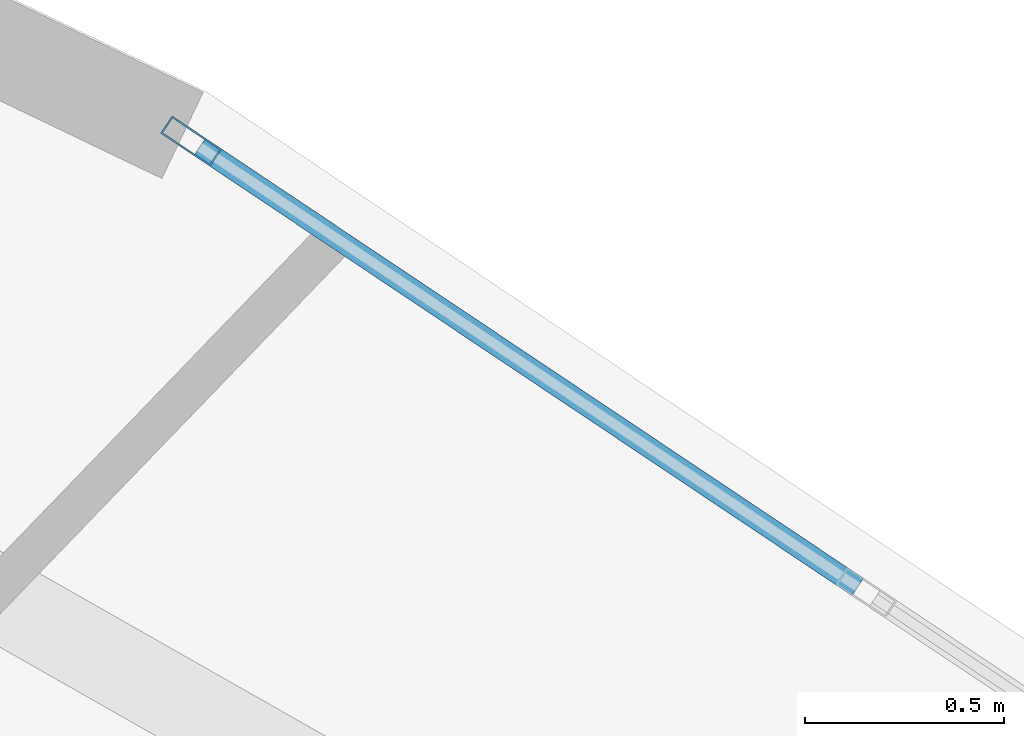
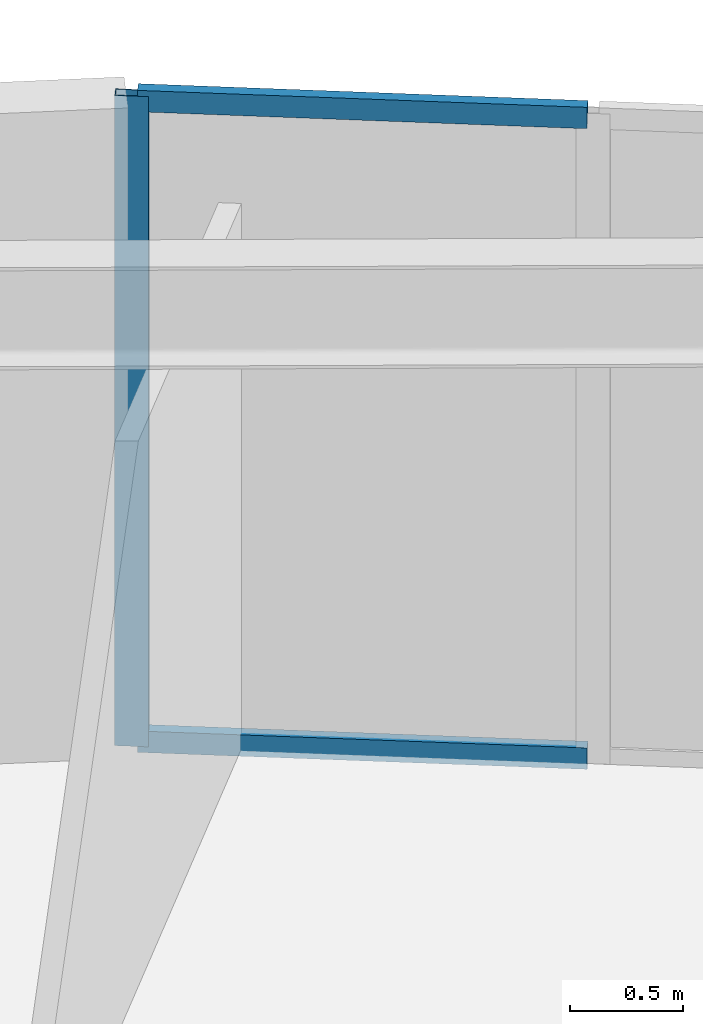
# One storey, part 7 of 20: 3 members, 1 element without a shape of its own.
"""IFC4 building model written with IfcOpenShell, lengths in metres."""

from ifc_helpers import new_model, si_unit, direction, frame, origin, origin_2d, place, context, subcontext, project, spatial, hollow_rectangle, extrude, source, transform, mapped, material, layer, layer_set, material_profile, profile_set, type_object, element, aggregate, save


model = new_model("IFC4")

# Units and contexts
model_context = context("Model", 3, precision=1e-05, world=origin(), true_north=direction((0.0, 1.0)))
body_context = subcontext(model_context, "Body", "Model", "MODEL_VIEW")
ifc_project = project(units=[si_unit("LENGTHUNIT", "METRE"), si_unit("AREAUNIT", "SQUARE_METRE"), si_unit("VOLUMEUNIT", "CUBIC_METRE"), si_unit("PLANEANGLEUNIT", "RADIAN"), si_unit("MASSUNIT", "GRAM", prefix="KILO")], contexts=[model_context])

# Site, building, storey
site_placement = place(None, origin())
site = spatial("IfcSite", under=ifc_project, at=site_placement, CompositionType="ELEMENT")
building_placement = place(site_placement, origin())
building = spatial("IfcBuilding", under=site, at=building_placement, Name="Linh Dai School and Residence Tower", CompositionType="ELEMENT")
storey_placement = place(building_placement, frame((0.0, 0.0, 127.199951171875)))
storey = spatial("IfcBuildingStorey", under=building, at=storey_placement, Name="L30", CompositionType="ELEMENT", Elevation=127.199951171875)

# Curtain wall, members
ifc_material_1 = material(Name="Aluminium Anodised Curtain Wall", Category="aluminium")
ifc_layer = layer(ifc_material_1, 0.14990234375)
ifc_layer_set = layer_set([ifc_layer], Name="Aluminium Anodised Curtain Wall")
curtain_wall_type = type_object("IfcCurtainWallType", Name="CW-SYS-4", PredefinedType="USERDEFINED", material=ifc_layer_set)
curtain_wall_placement = place(storey_placement, origin())
curtain_wall = element("IfcCurtainWall", 1, at=curtain_wall_placement, inside=storey, type_object=curtain_wall_type, Name="L30 CW4 Curtain Wall 06", ObjectType="RIBBON CURTAIN WALL", PredefinedType="USERDEFINED")
ifc_material_2 = material(Name="Aluminium Alloy 6063-T6", Category="aluminium")
ifc_material_profile_1 = material_profile(ifc_material_2, hollow_rectangle(XDim=0.052001953125, YDim=0.14990234375, WallThickness=0.00390625, at=origin_2d()), Name="RHS 150x52x4")
ifc_profile_set_1 = profile_set([ifc_material_profile_1], Name="Aluminium Alloy 6063-T6")
member_type_1 = type_object("IfcMemberType", Name="CW-SYS-4-MUL", PredefinedType="MULLION", material=ifc_profile_set_1)
shared_shape_1 = source(origin(), body_context, "Body", "SweptSolid", [
    extrude(hollow_rectangle(XDim=0.052001953125, YDim=0.14990234375, WallThickness=0.00390625, at=origin_2d()), origin(), (0.0, 0.0, 1.0), 3.5),
])
member_1_placement = place(storey_placement, frame((52.94677734375, 45.18505859375, 0.0), z_axis=(0.0, 0.0, 1.0), x_axis=(0.555913198527, 0.831240347736, 0.0)))
member_1 = element("IfcMember", 2, at=member_1_placement, type_object=member_type_1, Name="CW4 mullion 1", PredefinedType="MULLION", context=body_context, shape_type="MappedRepresentation", body=[
    mapped(shared_shape_1, transform((0.0, 0.0, 0.0), x_axis=(1.0, 0.0, 0.0), y_axis=(0.0, 1.0, 0.0), z_axis=(0.0, 0.0, 1.0), scale=1.0)),
])
ifc_material_profile_2 = material_profile(ifc_material_2, hollow_rectangle(XDim=0.052001953125, YDim=0.114990234375, WallThickness=0.00390625, at=origin_2d()), Name="RHS 115x52x4")
ifc_profile_set_2 = profile_set([ifc_material_profile_2], Name="Aluminium Alloy 6063-T6")
member_type_2 = type_object("IfcMemberType", Name="CW-SYS-4-TRN", PredefinedType="USERDEFINED", material=ifc_profile_set_2)
shared_shape_2 = source(origin(), body_context, "Body", "SweptSolid", [
    extrude(hollow_rectangle(XDim=0.052001953125, YDim=0.114990234375, WallThickness=0.00390625, at=origin_2d()), origin(), (0.0, 0.0, 1.0), 1.98681640625),
])
member_2_placement = place(storey_placement, frame((52.968505859375, 45.17041015625, 0.026123046875), z_axis=(0.831255474642, -0.555890579051, 0.0), x_axis=(0.555890579051, 0.831255474642, 0.0)))
member_2 = element("IfcMember", 3, at=member_2_placement, type_object=member_type_2, Name="CW4 transom 1.1", ObjectType="TRANSOM", PredefinedType="USERDEFINED", context=body_context, shape_type="MappedRepresentation", body=[
    mapped(shared_shape_2, transform((0.0, 0.0, 0.0), x_axis=(1.0, 0.0, 0.0), y_axis=(0.0, 1.0, 0.0), z_axis=(0.0, 0.0, 1.0), scale=1.0)),
])
member_3_placement = place(storey_placement, frame((52.968505859375, 45.17041015625, 3.47412109375), z_axis=(0.831255474642, -0.555890579051, 0.0), x_axis=(0.555890579051, 0.831255474642, 0.0)))
member_3 = element("IfcMember", 4, at=member_3_placement, type_object=member_type_2, Name="CW4 transom 1.2", ObjectType="TRANSOM", PredefinedType="USERDEFINED", context=body_context, shape_type="MappedRepresentation", body=[
    mapped(shared_shape_2, transform((0.0, 0.0, 0.0), x_axis=(1.0, 0.0, 0.0), y_axis=(0.0, 1.0, 0.0), z_axis=(0.0, 0.0, 1.0), scale=1.0)),
])
aggregate(curtain_wall, [member_1, member_2, member_3])

save(model, "model.ifc")
